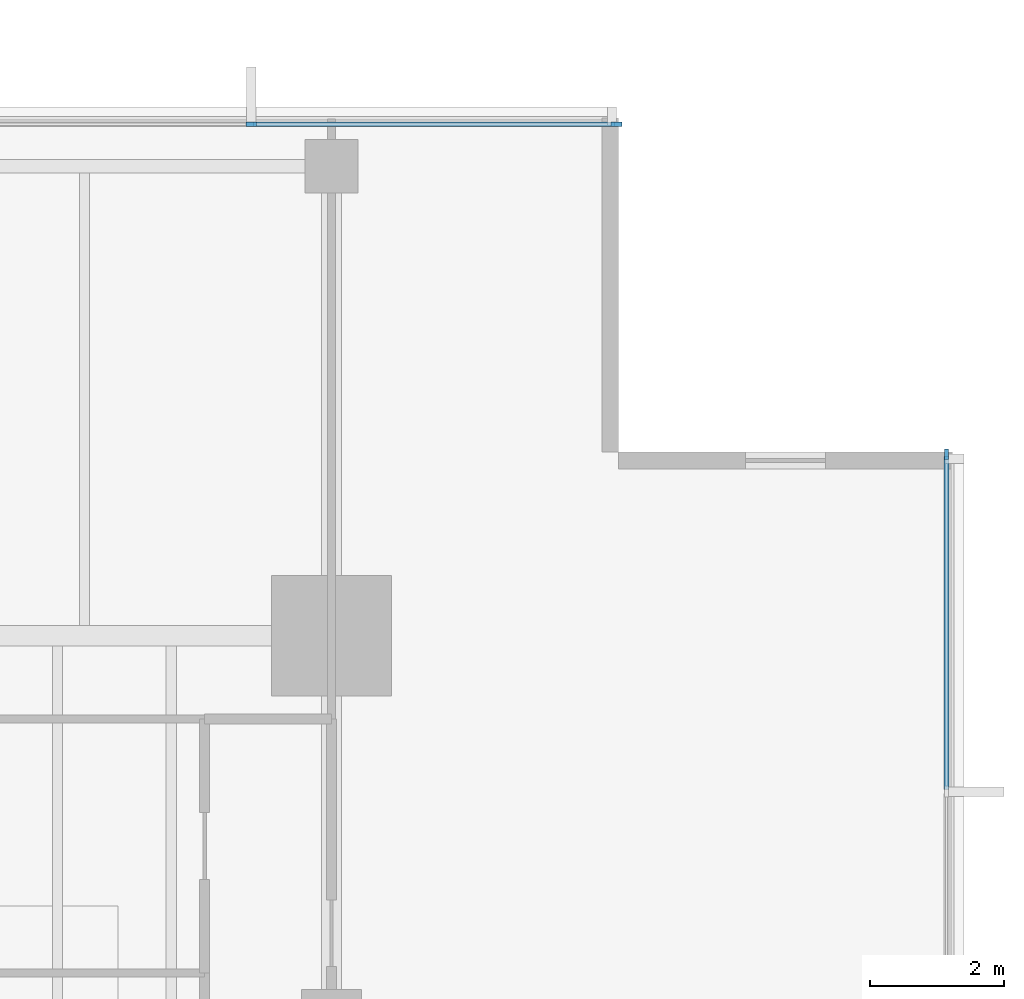
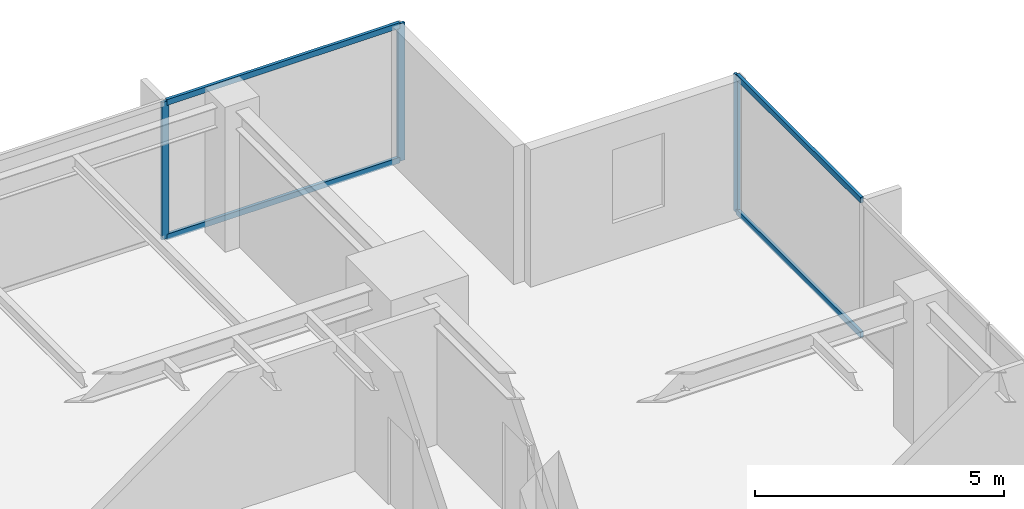
# One storey, part 6 of 14: 7 members, 2 elements without a shape of their own.
"""IFC4 building model written with IfcOpenShell, lengths in metres."""

from ifc_helpers import new_model, si_unit, direction, frame, origin, origin_2d, place, context, subcontext, project, spatial, rectangle, extrude, material, layer, layer_set, material_profile, profile_set, type_object, element, aggregate, save


model = new_model("IFC4")

# Units and contexts
model_context = context("Model", 3, precision=1e-05, world=origin(), true_north=direction((0.0, 1.0)))
body_context = subcontext(model_context, "Body", "Model", "MODEL_VIEW")
ifc_project = project(units=[si_unit("LENGTHUNIT", "METRE"), si_unit("AREAUNIT", "SQUARE_METRE"), si_unit("VOLUMEUNIT", "CUBIC_METRE"), si_unit("PLANEANGLEUNIT", "RADIAN"), si_unit("MASSUNIT", "GRAM", prefix="KILO")], contexts=[model_context])

# Site, building, storey
site_placement = place(None, origin())
site = spatial("IfcSite", under=ifc_project, at=site_placement, CompositionType="ELEMENT")
building_placement = place(site_placement, origin())
building = spatial("IfcBuilding", under=site, at=building_placement, Name="Kinhvarn Gate Tower", CompositionType="ELEMENT")
storey_placement = place(building_placement, frame((0.0, 0.0, 230.64990234375)))
storey = spatial("IfcBuildingStorey", under=building, at=storey_placement, Name="L61", CompositionType="ELEMENT", Elevation=230.64990234375)

# Curtain wall, members
ifc_material = material(Name="Anodised aluminium AW-6063", Category="aluminium")
ifc_layer = layer(ifc_material, 0.179931640625)
ifc_layer_set = layer_set([ifc_layer], Name="Anodised aluminium AW-6063")
curtain_wall_type = type_object("IfcCurtainWallType", Name="CW-SYS-3", PredefinedType="NOTDEFINED", material=ifc_layer_set)
curtain_wall_1_placement = place(storey_placement, origin())
curtain_wall_1 = element("IfcCurtainWall", 1, at=curtain_wall_1_placement, inside=storey, type_object=curtain_wall_type, Name="Curtain Wall CW3 (L61)", PredefinedType="NOTDEFINED")
ifc_material_profile_1 = material_profile(ifc_material, rectangle(XDim=0.06494140625, YDim=0.159912109375, at=origin_2d()), Name="ALU 65x160")
ifc_profile_set_1 = profile_set([ifc_material_profile_1], Name="Anodised aluminium AW-6063")
member_type_1 = type_object("IfcMemberType", Name="CW-MUL-160", PredefinedType="MULLION", material=ifc_profile_set_1)
member_1_placement = place(storey_placement, frame((42.467529296875, 45.409912109375, 0.0), z_axis=(0.0, 0.0, 1.0), x_axis=(0.0, -1.0, 0.0)))
member_1 = element("IfcMember", 2, at=member_1_placement, type_object=member_type_1, Name="CW3 mullion 1", PredefinedType="MULLION", context=body_context, shape_type="SweptSolid", body=[
    extrude(rectangle(XDim=0.06494140625, YDim=0.159912109375, at=origin_2d()), origin(), (0.0, 0.0, 1.0), 3.3701171875),
])
member_2_placement = place(storey_placement, frame((37.0, 45.409912109375, 0.0), z_axis=(0.0, 0.0, 1.0), x_axis=(0.0, -1.0, 0.0)))
member_2 = element("IfcMember", 3, at=member_2_placement, type_object=member_type_1, Name="CW3 mullion 2", PredefinedType="MULLION", context=body_context, shape_type="SweptSolid", body=[
    extrude(rectangle(XDim=0.06494140625, YDim=0.159912109375, at=origin_2d()), origin(), (0.0, 0.0, 1.0), 3.3701171875),
])

# Curtain wall, member
curtain_wall_2_placement = place(storey_placement, origin())
curtain_wall_2 = element("IfcCurtainWall", 4, at=curtain_wall_2_placement, inside=storey, type_object=curtain_wall_type, Name="Curtain Wall CW3 (L61)", PredefinedType="NOTDEFINED")
member_3_placement = place(storey_placement, frame((47.409912109375, 40.467529296875, 0.0), z_axis=(0.0, 0.0, 1.0), x_axis=(-1.0, 0.0, 0.0)))
member_3 = element("IfcMember", 5, at=member_3_placement, type_object=member_type_1, Name="CW3 mullion 7", PredefinedType="MULLION", context=body_context, shape_type="SweptSolid", body=[
    extrude(rectangle(XDim=0.06494140625, YDim=0.159912109375, at=origin_2d()), origin(), (0.0, 0.0, 1.0), 3.3701171875),
])

# Member
ifc_material_profile_2 = material_profile(ifc_material, rectangle(XDim=0.070068359375, YDim=0.139892578125, at=origin_2d()), Name="ALU 70x140")
ifc_profile_set_2 = profile_set([ifc_material_profile_2], Name="Anodised aluminium AW-6063")
member_type_2 = type_object("IfcMemberType", Name="CW-TRN-140", PredefinedType="USERDEFINED", material=ifc_profile_set_2)
member_4_placement = place(storey_placement, frame((42.43505859375, 45.409912109375, 0.03515625), z_axis=(-1.0, 0.0, 0.0), x_axis=(0.0, -1.0, 0.0)))
member_4 = element("IfcMember", 6, at=member_4_placement, type_object=member_type_2, Name="CW3 transom 1.1", ObjectType="TRANSOM", PredefinedType="USERDEFINED", context=body_context, shape_type="SweptSolid", body=[
    extrude(rectangle(XDim=0.070068359375, YDim=0.139892578125, at=origin_2d()), origin(), (0.0, 0.0, 1.0), 5.402587890625),
])

member_5_placement = place(storey_placement, frame((42.43505859375, 45.409912109375, 3.335205078125), z_axis=(-1.0, 0.0, 0.0), x_axis=(0.0, -1.0, 0.0)))
member_5 = element("IfcMember", 7, at=member_5_placement, type_object=member_type_2, Name="CW3 transom 1.2", ObjectType="TRANSOM", PredefinedType="USERDEFINED", context=body_context, shape_type="SweptSolid", body=[
    extrude(rectangle(XDim=0.070068359375, YDim=0.139892578125, at=origin_2d()), origin(), (0.0, 0.0, 1.0), 5.402587890625),
])

aggregate(curtain_wall_1, [member_1, member_2, member_4, member_5])

member_6_placement = place(storey_placement, frame((47.409912109375, 35.44921875, 0.03515625), z_axis=(0.0, 1.0, 0.0), x_axis=(-1.0, 0.0, 0.0)))
member_6 = element("IfcMember", 8, at=member_6_placement, type_object=member_type_2, Name="CW3 transom 6.1", ObjectType="TRANSOM", PredefinedType="USERDEFINED", context=body_context, shape_type="SweptSolid", body=[
    extrude(rectangle(XDim=0.070068359375, YDim=0.139892578125, at=origin_2d()), origin(), (0.0, 0.0, 1.0), 4.98583984375),
])

member_7_placement = place(storey_placement, frame((47.409912109375, 35.44921875, 3.335205078125), z_axis=(0.0, 1.0, 0.0), x_axis=(-1.0, 0.0, 0.0)))
member_7 = element("IfcMember", 9, at=member_7_placement, type_object=member_type_2, Name="CW3 transom 6.2", ObjectType="TRANSOM", PredefinedType="USERDEFINED", context=body_context, shape_type="SweptSolid", body=[
    extrude(rectangle(XDim=0.070068359375, YDim=0.139892578125, at=origin_2d()), origin(), (0.0, 0.0, 1.0), 4.98583984375),
])

aggregate(curtain_wall_2, [member_3, member_6, member_7])

save(model, "model.ifc")
